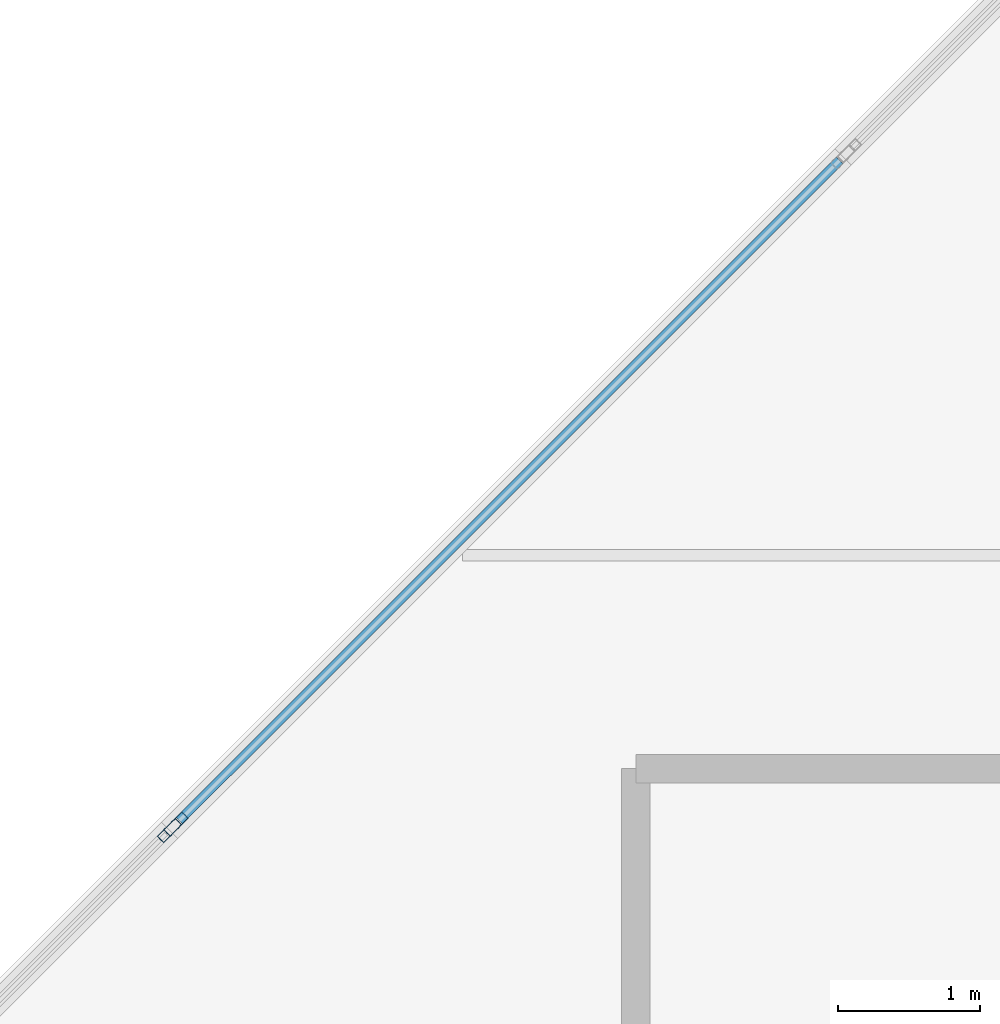
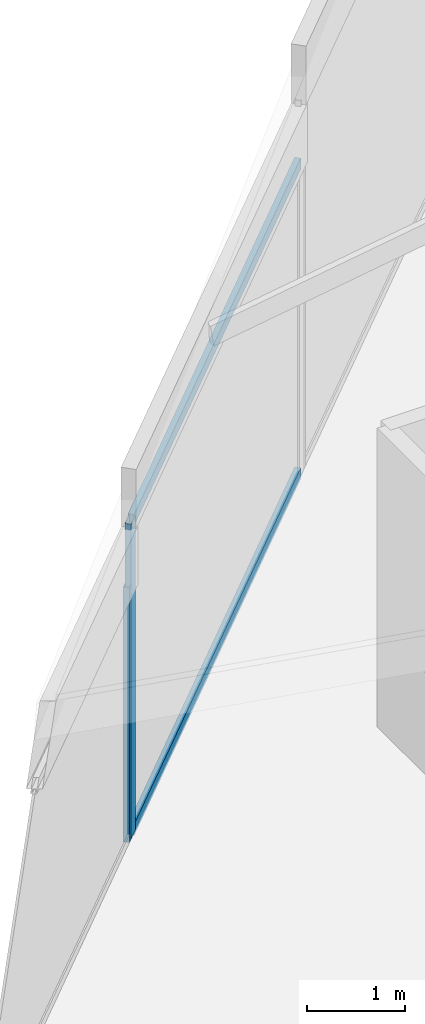
# One storey, part 8 of 30: 4 members, 2 elements without a shape of their own.
"""IFC4 building model written with IfcOpenShell, lengths in metres."""

from ifc_helpers import new_model, si_unit, direction, frame, origin, origin_2d, place, context, subcontext, project, spatial, hollow_rectangle, extrude, material, layer, layer_set, material_profile, profile_set, type_object, element, aggregate, save


model = new_model("IFC4")

# Units and contexts
model_context = context("Model", 3, precision=1e-05, world=origin(), true_north=direction((0.0, 1.0)))
body_context = subcontext(model_context, "Body", "Model", "MODEL_VIEW")
ifc_project = project(units=[si_unit("LENGTHUNIT", "METRE"), si_unit("AREAUNIT", "SQUARE_METRE"), si_unit("VOLUMEUNIT", "CUBIC_METRE"), si_unit("PLANEANGLEUNIT", "RADIAN"), si_unit("MASSUNIT", "GRAM", prefix="KILO")], contexts=[model_context])

# Site, building, storey
site_placement = place(None, origin())
site = spatial("IfcSite", under=ifc_project, at=site_placement, CompositionType="ELEMENT")
building_placement = place(site_placement, origin())
building = spatial("IfcBuilding", under=site, at=building_placement, Name="Tanjung Sevakor Pilgrim Tower", CompositionType="ELEMENT")
storey_placement = place(building_placement, frame((0.0, 0.0, 287.760009765625)))
storey = spatial("IfcBuildingStorey", under=building, at=storey_placement, Name="L80", CompositionType="ELEMENT", Elevation=287.760009765625)

# Curtain wall, member
ifc_material_1 = material(Name="Aluminium 6063-T6 and Low-E Glass", Category="aluminium")
ifc_layer = layer(ifc_material_1, 0.179931640625)
ifc_layer_set = layer_set([ifc_layer], Name="CW-SYS-CHAM")
curtain_wall_type = type_object("IfcCurtainWallType", Name="CW-SYS-CHAM", PredefinedType="NOTDEFINED", material=ifc_layer_set)
curtain_wall_1_placement = place(storey_placement, origin())
curtain_wall_1 = element("IfcCurtainWall", 1, at=curtain_wall_1_placement, inside=storey, type_object=curtain_wall_type, Name="L80 Curtain Wall CW-CHM-L80-EAST-5B3", PredefinedType="NOTDEFINED")
ifc_material_2 = material(Name="Aluminium 6063-T6", Category="aluminium")
ifc_material_profile_1 = material_profile(ifc_material_2, hollow_rectangle(XDim=0.06494140625, YDim=0.179931640625, WallThickness=0.00390625, at=origin_2d()))
ifc_profile_set_1 = profile_set([ifc_material_profile_1], Name="Aluminium 6063-T6")
member_type_1 = type_object("IfcMemberType", Name="TYPE-CWM-1", PredefinedType="MULLION", material=ifc_profile_set_1)
member_1_placement = place(storey_placement, frame((56.966796875, 40.711181640625, 0.0), z_axis=(0.0, 0.0, 1.0), x_axis=(0.707106781187, -0.707106781187, 0.0)))
member_1 = element("IfcMember", 2, at=member_1_placement, type_object=member_type_1, Name="CW-CHM mullion 2", PredefinedType="MULLION", context=body_context, shape_type="SweptSolid", body=[
    extrude(hollow_rectangle(XDim=0.06494140625, YDim=0.179931640625, WallThickness=0.00390625, at=origin_2d()), origin(), (0.0, 0.0, 1.0), 3.9208984375),
])

curtain_wall_2_placement = place(storey_placement, origin())
curtain_wall_2 = element("IfcCurtainWall", 3, at=curtain_wall_2_placement, inside=storey, type_object=curtain_wall_type, Name="L80 Curtain Wall CW-CHM-L80-EAST-5B4", PredefinedType="NOTDEFINED")
member_2_placement = place(storey_placement, frame((56.9208984375, 40.665283203125, 0.0), z_axis=(0.0, 0.0, 1.0), x_axis=(0.707106781187, -0.707106781187, 0.0)))
member_2 = element("IfcMember", 4, at=member_2_placement, type_object=member_type_1, Name="CW-CHM mullion 1", PredefinedType="MULLION", context=body_context, shape_type="SweptSolid", body=[
    extrude(hollow_rectangle(XDim=0.06494140625, YDim=0.179931640625, WallThickness=0.00390625, at=origin_2d()), origin(), (0.0, 0.0, 1.0), 3.17724609375),
])
aggregate(curtain_wall_2, [member_2])

# Member
ifc_material_3 = material(Name="Aluminium 6063-T6", Category="aluminium")
ifc_material_profile_2 = material_profile(ifc_material_3, hollow_rectangle(XDim=0.06494140625, YDim=0.139892578125, WallThickness=0.00390625, at=origin_2d()))
ifc_profile_set_2 = profile_set([ifc_material_profile_2], Name="Aluminium 6063-T6")
member_type_2 = type_object("IfcMemberType", Name="TYPE-CWT-1", PredefinedType="USERDEFINED", material=ifc_profile_set_2)
member_3_placement = place(storey_placement, frame((61.6318359375, 45.376220703125, 0.032470703125), z_axis=(-0.707125375803, -0.707088186081, 0.0), x_axis=(0.707088186081, -0.707125375803, 0.0)))
member_3 = element("IfcMember", 5, at=member_3_placement, type_object=member_type_2, Name="CW-CHM transom 1.1", ObjectType="TRANSOM", PredefinedType="USERDEFINED", context=body_context, shape_type="SweptSolid", body=[
    extrude(hollow_rectangle(XDim=0.06494140625, YDim=0.139892578125, WallThickness=0.00390625, at=origin_2d()), origin(), (0.0, 0.0, 1.0), 6.564697265625),
])

member_4_placement = place(storey_placement, frame((61.6318359375, 45.376220703125, 3.888427734375), z_axis=(-0.707125375803, -0.707088186081, 0.0), x_axis=(0.707088186081, -0.707125375803, 0.0)))
member_4 = element("IfcMember", 6, at=member_4_placement, type_object=member_type_2, Name="CW-CHM transom 1.2", ObjectType="TRANSOM", PredefinedType="USERDEFINED", context=body_context, shape_type="SweptSolid", body=[
    extrude(hollow_rectangle(XDim=0.06494140625, YDim=0.139892578125, WallThickness=0.00390625, at=origin_2d()), origin(), (0.0, 0.0, 1.0), 6.564697265625),
])

aggregate(curtain_wall_1, [member_1, member_3, member_4])

save(model, "model.ifc")
